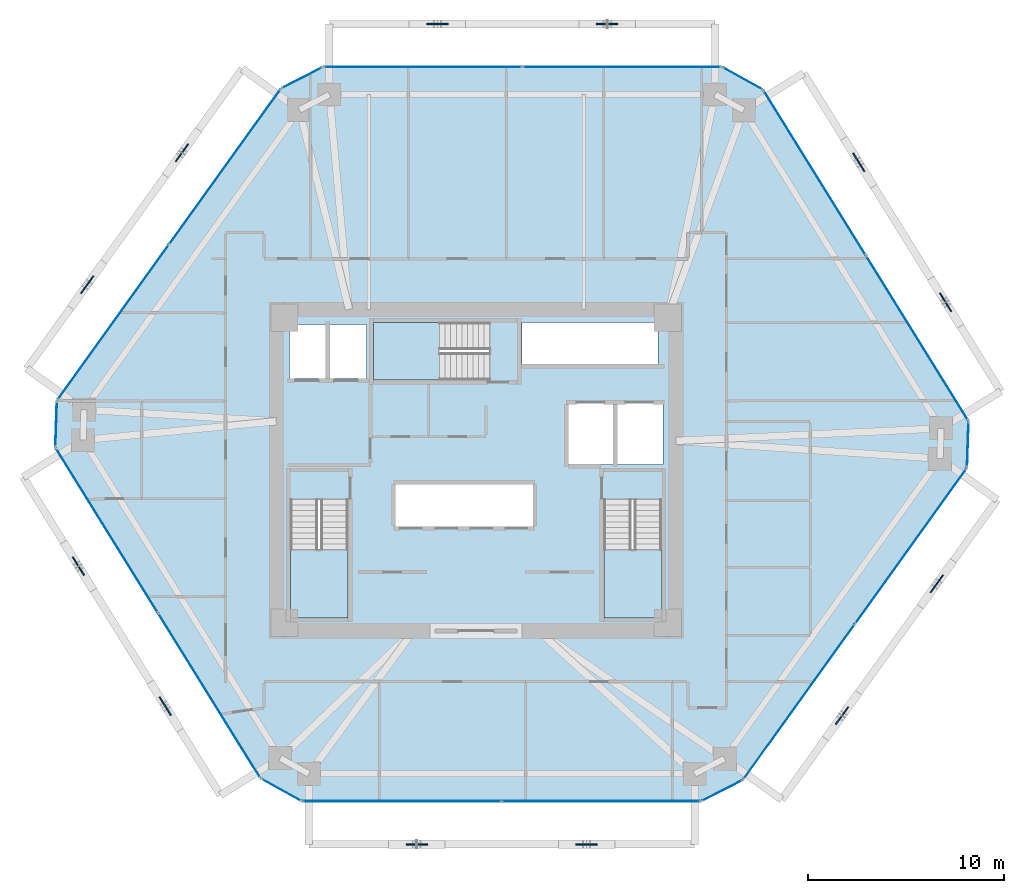
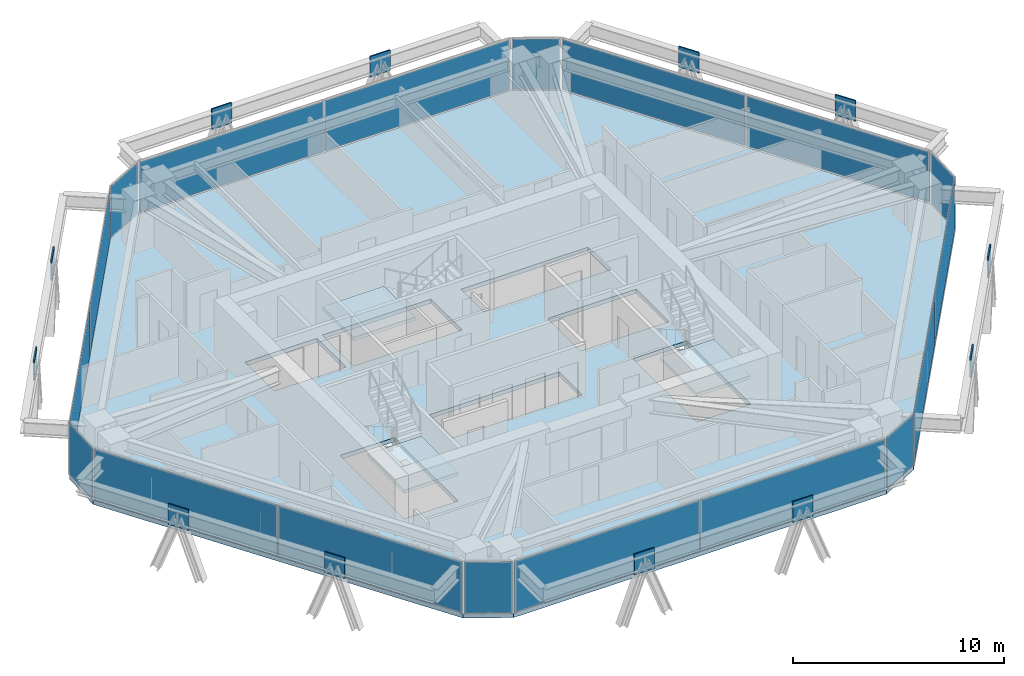
# One storey, part 9 of 16: 30 plates, 4 slabs, 15 elements without a shape of their own.
"""IFC4 building model written with IfcOpenShell, lengths in metres."""

from ifc_helpers import new_model, si_unit, direction, frame, origin, origin_2d, place, context, subcontext, project, spatial, polyline, rectangle, outline, extrude, source, transform, mapped, material, layer, layer_set, type_object, type_shapes, element, aggregate, save


model = new_model("IFC4")

# Units and contexts
model_context = context("Model", 3, precision=1e-05, world=origin(), true_north=direction((0.0, 1.0)))
body_context = subcontext(model_context, "Body", "Model", "MODEL_VIEW")
ifc_project = project(units=[si_unit("LENGTHUNIT", "METRE"), si_unit("AREAUNIT", "SQUARE_METRE"), si_unit("VOLUMEUNIT", "CUBIC_METRE"), si_unit("PLANEANGLEUNIT", "RADIAN"), si_unit("MASSUNIT", "GRAM", prefix="KILO")], contexts=[model_context])

# Site, building, storey
site_placement = place(None, origin())
site = spatial("IfcSite", under=ifc_project, at=site_placement, CompositionType="ELEMENT")
building_placement = place(site_placement, origin())
building = spatial("IfcBuilding", under=site, at=building_placement, Name="Durnholm Broadcast Tower", CompositionType="ELEMENT")
storey_placement = place(building_placement, frame((0.0, 0.0, 130.5)))
storey = spatial("IfcBuildingStorey", under=building, at=storey_placement, Name="L35", CompositionType="ELEMENT", Elevation=130.5)

# Slab
ifc_material_1 = material(Name="Concrete C50/60", Category="concrete")
ifc_layer_1 = layer(ifc_material_1, 0.239990234375)
ifc_layer_set_1 = layer_set([ifc_layer_1], Name="Concrete C50/60")
slab_type_1 = type_object("IfcSlabType", Name="SLAB-FLR-240", PredefinedType="FLOOR", material=ifc_layer_set_1)
slab_1_placement = place(storey_placement, frame((0.0, 0.0, -0.239990234375)))
element("IfcSlab", 1, at=slab_1_placement, inside=storey, type_object=slab_type_1, Name="L35 structural floor slab", PredefinedType="FLOOR", context=body_context, shape_type="SweptSolid", body=[
    extrude(outline(polyline([(-11.012451171875, -15.77001953125), (-8.915283203125, -16.93701171875), (11.51416015625, -16.93701171875), (13.649658203125, -15.841796875), (25.11279296875, 0.114990234375), (25.1943359375, 2.513671875), (14.6904296875, 19.447998046875), (12.59326171875, 20.614990234375), (-7.836181640625, 20.614990234375), (-9.9716796875, 19.519775390625), (-21.434814453125, 3.56298828125), (-21.516357421875, 1.164306640625), (-11.012451171875, -15.77001953125)]), holes=[polyline([(-6.5400390625, -1.5), (-9.5, -1.5), (-9.5, -7.550048828125), (-6.5400390625, -7.550048828125), (-6.5400390625, -1.5)]), polyline([(9.5, -7.550048828125), (9.5, -1.5), (6.5400390625, -1.5), (6.5400390625, -7.550048828125), (9.5, -7.550048828125)]), polyline([(2.949951171875, -0.699951171875), (-4.14990234375, -0.699951171875), (-4.14990234375, -2.89990234375), (2.949951171875, -2.89990234375), (2.949951171875, -0.699951171875)]), polyline([(9.550048828125, 3.39990234375), (4.699951171875, 3.39990234375), (4.699951171875, 0.300048828125), (9.550048828125, 0.300048828125), (9.550048828125, 3.39990234375)]), polyline([(-5.60009765625, 7.449951171875), (-9.550048828125, 7.449951171875), (-9.550048828125, 4.699951171875), (-5.60009765625, 4.699951171875), (-5.60009765625, 7.449951171875)]), polyline([(-5.25, 4.60009765625), (0.699951171875, 4.60009765625), (0.699951171875, 7.56005859375), (-5.25, 7.56005859375), (-5.25, 4.60009765625)]), polyline([(9.31005859375, 7.550048828125), (2.35009765625, 7.550048828125), (2.35009765625, 5.39990234375), (9.31005859375, 5.39990234375), (9.31005859375, 7.550048828125)])]), origin(), (0.0, 0.0, 1.0), 0.239990234375),
])

# Stair, slab
stair_type = type_object("IfcStairType", Name="STAIR-DL-20R1650", PredefinedType="HALF_TURN_STAIR", material=ifc_material_1)
stair_1_placement = place(storey_placement, origin())
stair_1 = element("IfcStair", 2, at=stair_1_placement, inside=storey, type_object=stair_type, Name="L35 ST-1", PredefinedType="HALF_TURN_STAIR")
ifc_layer_2 = layer(ifc_material_1, 0.199951171875)
ifc_layer_set_2 = layer_set([ifc_layer_2], Name="Concrete C50/60")
slab_type_2 = type_object("IfcSlabType", Name="SLAB-LND-200", PredefinedType="LANDING", material=ifc_layer_set_2)
slab_2_placement = place(storey_placement, frame((0.0, 0.0, 1.449951171875)))
slab_2 = element("IfcSlab", 3, at=slab_2_placement, type_object=slab_type_2, Name="ST-1 landing 1", PredefinedType="LANDING", context=body_context, shape_type="SweptSolid", body=[
    extrude(outline(polyline([(-9.5, -4.06494140625), (-9.5, -7.550048828125), (-6.5400390625, -7.550048828125), (-6.5400390625, -4.06494140625), (-9.5, -4.06494140625)])), origin(), (0.0, 0.0, 1.0), 0.199951171875),
])
aggregate(stair_1, [slab_2])

stair_2_placement = place(storey_placement, origin())
stair_2 = element("IfcStair", 4, at=stair_2_placement, inside=storey, type_object=stair_type, Name="L35 ST-2", PredefinedType="HALF_TURN_STAIR")
slab_3_placement = place(storey_placement, frame((0.0, 0.0, 1.449951171875)))
slab_3 = element("IfcSlab", 5, at=slab_3_placement, type_object=slab_type_2, Name="ST-2 landing 1", PredefinedType="LANDING", context=body_context, shape_type="SweptSolid", body=[
    extrude(outline(polyline([(6.5400390625, -4.06494140625), (6.5400390625, -7.550048828125), (9.5, -7.550048828125), (9.5, -4.06494140625), (6.5400390625, -4.06494140625)])), origin(), (0.0, 0.0, 1.0), 0.199951171875),
])
aggregate(stair_2, [slab_3])

stair_3_placement = place(storey_placement, origin())
stair_3 = element("IfcStair", 6, at=stair_3_placement, inside=storey, type_object=stair_type, Name="L35 ST-3", PredefinedType="HALF_TURN_STAIR")
slab_4_placement = place(storey_placement, frame((0.0, 0.0, 1.449951171875)))
slab_4 = element("IfcSlab", 7, at=slab_4_placement, type_object=slab_type_2, Name="ST-3 landing 1", PredefinedType="LANDING", context=body_context, shape_type="SweptSolid", body=[
    extrude(outline(polyline([(-1.864990234375, 7.56005859375), (-5.25, 7.56005859375), (-5.25, 4.60009765625), (-1.864990234375, 4.60009765625), (-1.864990234375, 7.56005859375)])), origin(), (0.0, 0.0, 1.0), 0.199951171875),
])
aggregate(stair_3, [slab_4])

# Plates
ifc_material_2 = material(Name="Steel ASTM A572 Grade 50", Category="steel")
ifc_layer_3 = layer(ifc_material_2, 0.070068359375)
ifc_layer_set_3 = layer_set([ifc_layer_3], Name="Steel ASTM A572 Grade 50")
plate_type_1 = type_object("IfcPlateType", Name="PLT-KN05-GUS", PredefinedType="USERDEFINED", material=ifc_layer_set_3)
shared_shape_1 = source(origin(), body_context, "Body", "SweptSolid", [
    extrude(rectangle(XDim=1.10009765625, YDim=0.070068359375, at=origin_2d()), origin(), (0.0, 0.0, 1.0), 1.199951171875),
])
type_shapes(plate_type_1, [shared_shape_1])
for number, where, z_axis, x_axis, name in (
    (8, (-3.028076171875, -19.136962890625, 1.70849609375), (0.0, 0.0, 1.0), (1.0, 0.0, 0.0), "L35 welded diagrid node gusset plate KN05 F1"),
    (9, (5.65234375, -19.136962890625, 1.70849609375), (0.0, 0.0, 1.0), (1.0, 0.0, 0.0), "L35 welded diagrid node gusset plate KN05 F1"),
    (10, (18.71875, -12.556396484375, 1.70849609375), (0.0, 0.0, 1.0), (0.583399467156, 0.812185361677, 0.0), "L35 welded diagrid node gusset plate KN05 F2"),
    (11, (23.56689453125, -5.807861328125, 1.70849609375), (0.0, 0.0, 1.0), (0.583399467156, 0.812185361677, 0.0), "L35 welded diagrid node gusset plate KN05 F2"),
    (12, (24.01513671875, 8.58837890625, 1.70849609375), (0.0, 0.0, 1.0), (-0.527104121728, 0.849800708906, 0.0), "L35 welded diagrid node gusset plate KN05 F3"),
    (13, (19.576416015625, 15.74462890625, 1.70849609375), (0.0, 0.0, 1.0), (-0.527104121728, 0.849800708906, 0.0), "L35 welded diagrid node gusset plate KN05 F3"),
    (14, (6.7060546875, 22.81494140625, 1.70849609375), (0.0, 0.0, 1.0), (-1.0, 0.0, 0.0), "L35 welded diagrid node gusset plate KN05 F4"),
    (15, (-1.974365234375, 22.81494140625, 1.70849609375), (0.0, 0.0, 1.0), (-1.0, 0.0, 0.0), "L35 welded diagrid node gusset plate KN05 F4"),
    (16, (-15.040771484375, 16.234375, 1.70849609375), (0.0, 0.0, 1.0), (-0.583399467156, -0.812185361677, 0.0), "L35 welded diagrid node gusset plate KN05 F5"),
    (17, (-19.888916015625, 9.48583984375, 1.70849609375), (0.0, 0.0, 1.0), (-0.583399467156, -0.812185361677, 0.0), "L35 welded diagrid node gusset plate KN05 F5"),
    (18, (-20.337158203125, -4.910400390625, 1.70849609375), (0.0, 0.0, 1.0), (0.527104121728, -0.849800708906, 0.0), "L35 welded diagrid node gusset plate KN05 F6"),
    (19, (-15.898193359375, -12.066650390625, 1.70849609375), (0.0, 0.0, 1.0), (0.527104121728, -0.849800708906, 0.0), "L35 welded diagrid node gusset plate KN05 F6"),
):
    element("IfcPlate", number, at=place(storey_placement, frame(where, z_axis=z_axis, x_axis=x_axis)), inside=storey, type_object=plate_type_1, Name=name, ObjectType="GUSSET_PLATE", PredefinedType="USERDEFINED", context=body_context, shape_type="MappedRepresentation", body=[
        mapped(shared_shape_1, transform((0.0, 0.0, 0.0), x_axis=(1.0, 0.0, 0.0), y_axis=(0.0, 1.0, 0.0), z_axis=(0.0, 0.0, 1.0), scale=1.0)),
    ])

# Curtain wall, plate
ifc_material_3 = material(Name="Aluminium and Solar Control IGU", Category="aluminium")
ifc_layer_4 = layer(ifc_material_3, 0.1650390625)
ifc_layer_set_4 = layer_set([ifc_layer_4], Name="Aluminium and Solar Control IGU")
curtain_wall_type_1 = type_object("IfcCurtainWallType", Name="CW-SYS-5", PredefinedType="NOTDEFINED", material=ifc_layer_set_4)
curtain_wall_1_placement = place(storey_placement, origin())
curtain_wall_1 = element("IfcCurtainWall", 20, at=curtain_wall_1_placement, inside=storey, type_object=curtain_wall_type_1, Name="L35 curtain wall CW-CORNER CW-L35-CRN-01", PredefinedType="NOTDEFINED")
ifc_material_4 = material(Name="Low-E Laminated Insulating Glass", Category="glass")
ifc_layer_5 = layer(ifc_material_4, 0.030029296875)
ifc_layer_set_5 = layer_set([ifc_layer_5], Name="Low-E Laminated Insulating Glass")
plate_type_2 = type_object("IfcPlateType", Name="CW-SYS-5-PNL", PredefinedType="CURTAIN_PANEL", material=ifc_layer_set_5)
shared_shape_2 = source(origin(), body_context, "Body", "SweptSolid", [
    extrude(rectangle(XDim=2.27001953125, YDim=0.030029296875, at=origin_2d()), origin(), (0.0, 0.0, 1.0), 2.929931640625),
])
type_shapes(plate_type_2, [shared_shape_2])
plate_1_placement = place(storey_placement, frame((-21.4755859375, 2.36376953125, 0.06494140625), z_axis=(0.0, 0.0, 1.0), x_axis=(0.033916937775, 0.999424655155, 0.0)))
plate_1 = element("IfcPlate", 21, at=plate_1_placement, type_object=plate_type_2, Name="CW-CORNER panel 1.1", PredefinedType="CURTAIN_PANEL", context=body_context, shape_type="MappedRepresentation", body=[
    mapped(shared_shape_2, transform((0.0, 0.0, 0.0), x_axis=(1.0, 0.0, 0.0), y_axis=(0.0, 1.0, 0.0), z_axis=(0.0, 0.0, 1.0), scale=1.0)),
])
aggregate(curtain_wall_1, [plate_1])

curtain_wall_2_placement = place(storey_placement, origin())
curtain_wall_2 = element("IfcCurtainWall", 22, at=curtain_wall_2_placement, inside=storey, type_object=curtain_wall_type_1, Name="L35 curtain wall CW-CORNER CW-L35-CRN-03", PredefinedType="NOTDEFINED")
plate_2_placement = place(storey_placement, frame((-8.904052734375, 20.0673828125, 0.06494140625), z_axis=(0.0, 0.0, 1.0), x_axis=(0.889788396392, 0.45637332267, 0.0)))
plate_2 = element("IfcPlate", 23, at=plate_2_placement, type_object=plate_type_2, Name="CW-CORNER panel 1.1", PredefinedType="CURTAIN_PANEL", context=body_context, shape_type="MappedRepresentation", body=[
    mapped(shared_shape_2, transform((0.0, 0.0, 0.0), x_axis=(1.0, 0.0, 0.0), y_axis=(0.0, 1.0, 0.0), z_axis=(0.0, 0.0, 1.0), scale=1.0)),
])
aggregate(curtain_wall_2, [plate_2])

curtain_wall_3_placement = place(storey_placement, origin())
curtain_wall_3 = element("IfcCurtainWall", 24, at=curtain_wall_3_placement, inside=storey, type_object=curtain_wall_type_1, Name="L35 curtain wall CW-CORNER CW-L35-CRN-05", PredefinedType="NOTDEFINED")
plate_3_placement = place(storey_placement, frame((13.641845703125, 20.031494140625, 0.06494140625), z_axis=(0.0, 0.0, 1.0), x_axis=(0.873822953715, -0.486244224192, 0.0)))
plate_3 = element("IfcPlate", 25, at=plate_3_placement, type_object=plate_type_2, Name="CW-CORNER panel 1.1", PredefinedType="CURTAIN_PANEL", context=body_context, shape_type="MappedRepresentation", body=[
    mapped(shared_shape_2, transform((0.0, 0.0, 0.0), x_axis=(1.0, 0.0, 0.0), y_axis=(0.0, 1.0, 0.0), z_axis=(0.0, 0.0, 1.0), scale=1.0)),
])
aggregate(curtain_wall_3, [plate_3])

curtain_wall_4_placement = place(storey_placement, origin())
curtain_wall_4 = element("IfcCurtainWall", 26, at=curtain_wall_4_placement, inside=storey, type_object=curtain_wall_type_1, Name="L35 curtain wall CW-CORNER CW-L35-CRN-07", PredefinedType="NOTDEFINED")
plate_4_placement = place(storey_placement, frame((25.153564453125, 1.314208984375, 0.06494140625), z_axis=(0.0, 0.0, 1.0), x_axis=(-0.033916937775, -0.999424655155, 0.0)))
plate_4 = element("IfcPlate", 27, at=plate_4_placement, type_object=plate_type_2, Name="CW-CORNER panel 1.1", PredefinedType="CURTAIN_PANEL", context=body_context, shape_type="MappedRepresentation", body=[
    mapped(shared_shape_2, transform((0.0, 0.0, 0.0), x_axis=(1.0, 0.0, 0.0), y_axis=(0.0, 1.0, 0.0), z_axis=(0.0, 0.0, 1.0), scale=1.0)),
])
aggregate(curtain_wall_4, [plate_4])

curtain_wall_5_placement = place(storey_placement, origin())
curtain_wall_5 = element("IfcCurtainWall", 28, at=curtain_wall_5_placement, inside=storey, type_object=curtain_wall_type_1, Name="L35 curtain wall CW-CORNER CW-L35-CRN-09", PredefinedType="NOTDEFINED")
plate_5_placement = place(storey_placement, frame((12.58203125, -16.389404296875, 0.06494140625), z_axis=(0.0, 0.0, 1.0), x_axis=(-0.889788396392, -0.45637332267, 0.0)))
plate_5 = element("IfcPlate", 29, at=plate_5_placement, type_object=plate_type_2, Name="CW-CORNER panel 1.1", PredefinedType="CURTAIN_PANEL", context=body_context, shape_type="MappedRepresentation", body=[
    mapped(shared_shape_2, transform((0.0, 0.0, 0.0), x_axis=(1.0, 0.0, 0.0), y_axis=(0.0, 1.0, 0.0), z_axis=(0.0, 0.0, 1.0), scale=1.0)),
])
aggregate(curtain_wall_5, [plate_5])

curtain_wall_6_placement = place(storey_placement, origin())
curtain_wall_6 = element("IfcCurtainWall", 30, at=curtain_wall_6_placement, inside=storey, type_object=curtain_wall_type_1, Name="L35 curtain wall CW-CORNER CW-L35-CRN-11", PredefinedType="NOTDEFINED")
plate_6_placement = place(storey_placement, frame((-9.9638671875, -16.353515625, 0.06494140625), z_axis=(0.0, 0.0, 1.0), x_axis=(-0.873822953715, 0.486244224192, 0.0)))
plate_6 = element("IfcPlate", 31, at=plate_6_placement, type_object=plate_type_2, Name="CW-CORNER panel 1.1", PredefinedType="CURTAIN_PANEL", context=body_context, shape_type="MappedRepresentation", body=[
    mapped(shared_shape_2, transform((0.0, 0.0, 0.0), x_axis=(1.0, 0.0, 0.0), y_axis=(0.0, 1.0, 0.0), z_axis=(0.0, 0.0, 1.0), scale=1.0)),
])
aggregate(curtain_wall_6, [plate_6])

# Curtain wall, plates
ifc_layer_6 = layer(ifc_material_3, 0.18994140625)
ifc_layer_set_6 = layer_set([ifc_layer_6], Name="Aluminium and Solar Control IGU")
curtain_wall_type_2 = type_object("IfcCurtainWallType", Name="CW-SYS-3", PredefinedType="NOTDEFINED", material=ifc_layer_set_6)
curtain_wall_7_placement = place(storey_placement, origin())
curtain_wall_7 = element("IfcCurtainWall", 32, at=curtain_wall_7_placement, inside=storey, type_object=curtain_wall_type_2, Name="L35 curtain wall CW-Z12-VIS CW-L35-F02", PredefinedType="NOTDEFINED")
ifc_layer_7 = layer(ifc_material_4, 0.031982421875)
ifc_layer_set_7 = layer_set([ifc_layer_7], Name="Low-E Laminated Insulating Glass")
plate_type_3 = type_object("IfcPlateType", Name="CW-SYS-3-PNL", PredefinedType="CURTAIN_PANEL", material=ifc_layer_set_7)
shared_shape_3 = source(origin(), body_context, "Body", "SweptSolid", [
    extrude(rectangle(XDim=9.71875, YDim=0.031982421875, at=origin_2d()), origin(), (0.0, 0.0, 1.0), 2.919921875),
])
plate_7_placement = place(storey_placement, frame((-18.558837890625, 7.56640625, 0.070068359375), z_axis=(0.0, 0.0, 1.0), x_axis=(0.583445473786, 0.812152312759, 0.0)))
plate_7 = element("IfcPlate", 33, at=plate_7_placement, type_object=plate_type_3, Name="CW-Z12-VIS panel 1.1", PredefinedType="CURTAIN_PANEL", context=body_context, shape_type="MappedRepresentation", body=[
    mapped(shared_shape_3, transform((0.0, 0.0, 0.0), x_axis=(1.0, 0.0, 0.0), y_axis=(0.0, 1.0, 0.0), z_axis=(0.0, 0.0, 1.0), scale=1.0)),
])
plate_8_placement = place(storey_placement, frame((-12.84765625, 15.516357421875, 0.070068359375), z_axis=(0.0, 0.0, 1.0), x_axis=(0.583445473786, 0.812152312759, 0.0)))
plate_8 = element("IfcPlate", 34, at=plate_8_placement, type_object=plate_type_3, Name="CW-Z12-VIS panel 2.1", PredefinedType="CURTAIN_PANEL", context=body_context, shape_type="MappedRepresentation", body=[
    mapped(shared_shape_3, transform((0.0, 0.0, 0.0), x_axis=(1.0, 0.0, 0.0), y_axis=(0.0, 1.0, 0.0), z_axis=(0.0, 0.0, 1.0), scale=1.0)),
])
aggregate(curtain_wall_7, [plate_7, plate_8])

curtain_wall_8_placement = place(storey_placement, origin())
curtain_wall_8 = element("IfcCurtainWall", 35, at=curtain_wall_8_placement, inside=storey, type_object=curtain_wall_type_2, Name="L35 curtain wall CW-Z12-VIS CW-L35-F08", PredefinedType="NOTDEFINED")
plate_9_placement = place(storey_placement, frame((22.23681640625, -3.888427734375, 0.070068359375), z_axis=(0.0, 0.0, 1.0), x_axis=(-0.583445473786, -0.812152312759, 0.0)))
plate_9 = element("IfcPlate", 36, at=plate_9_placement, type_object=plate_type_3, Name="CW-Z12-VIS panel 1.1", PredefinedType="CURTAIN_PANEL", context=body_context, shape_type="MappedRepresentation", body=[
    mapped(shared_shape_3, transform((0.0, 0.0, 0.0), x_axis=(1.0, 0.0, 0.0), y_axis=(0.0, 1.0, 0.0), z_axis=(0.0, 0.0, 1.0), scale=1.0)),
])
plate_10_placement = place(storey_placement, frame((16.525634765625, -11.83837890625, 0.070068359375), z_axis=(0.0, 0.0, 1.0), x_axis=(-0.583445473786, -0.812152312759, 0.0)))
plate_10 = element("IfcPlate", 37, at=plate_10_placement, type_object=plate_type_3, Name="CW-Z12-VIS panel 2.1", PredefinedType="CURTAIN_PANEL", context=body_context, shape_type="MappedRepresentation", body=[
    mapped(shared_shape_3, transform((0.0, 0.0, 0.0), x_axis=(1.0, 0.0, 0.0), y_axis=(0.0, 1.0, 0.0), z_axis=(0.0, 0.0, 1.0), scale=1.0)),
])
aggregate(curtain_wall_8, [plate_9, plate_10])

curtain_wall_9_placement = place(storey_placement, origin())
curtain_wall_9 = element("IfcCurtainWall", 38, at=curtain_wall_9_placement, inside=storey, type_object=curtain_wall_type_2, Name="L35 curtain wall CW-Z12-VIS CW-L35-F04", PredefinedType="NOTDEFINED")
shared_shape_4 = source(origin(), body_context, "Body", "SweptSolid", [
    extrude(rectangle(XDim=10.109619140625, YDim=0.031982421875, at=origin_2d()), origin(), (0.0, 0.0, 1.0), 2.919921875),
])
plate_11_placement = place(storey_placement, frame((-2.71142578125, 20.614990234375, 0.070068359375), z_axis=(0.0, 0.0, 1.0), x_axis=(1.0, 0.0, 0.0)))
plate_11 = element("IfcPlate", 39, at=plate_11_placement, type_object=plate_type_3, Name="CW-Z12-VIS panel 1.1", PredefinedType="CURTAIN_PANEL", context=body_context, shape_type="MappedRepresentation", body=[
    mapped(shared_shape_4, transform((0.0, 0.0, 0.0), x_axis=(1.0, 0.0, 0.0), y_axis=(0.0, 1.0, 0.0), z_axis=(0.0, 0.0, 1.0), scale=1.0)),
])
plate_12_placement = place(storey_placement, frame((7.46826171875, 20.614990234375, 0.070068359375), z_axis=(0.0, 0.0, 1.0), x_axis=(1.0, 0.0, 0.0)))
plate_12 = element("IfcPlate", 40, at=plate_12_placement, type_object=plate_type_3, Name="CW-Z12-VIS panel 2.1", PredefinedType="CURTAIN_PANEL", context=body_context, shape_type="MappedRepresentation", body=[
    mapped(shared_shape_4, transform((0.0, 0.0, 0.0), x_axis=(1.0, 0.0, 0.0), y_axis=(0.0, 1.0, 0.0), z_axis=(0.0, 0.0, 1.0), scale=1.0)),
])
aggregate(curtain_wall_9, [plate_11, plate_12])

curtain_wall_10_placement = place(storey_placement, origin())
curtain_wall_10 = element("IfcCurtainWall", 41, at=curtain_wall_10_placement, inside=storey, type_object=curtain_wall_type_2, Name="L35 curtain wall CW-Z12-VIS CW-L35-F10", PredefinedType="NOTDEFINED")
plate_13_placement = place(storey_placement, frame((6.389404296875, -16.93701171875, 0.070068359375), z_axis=(0.0, 0.0, 1.0), x_axis=(-1.0, 0.0, 0.0)))
plate_13 = element("IfcPlate", 42, at=plate_13_placement, type_object=plate_type_3, Name="CW-Z12-VIS panel 1.1", PredefinedType="CURTAIN_PANEL", context=body_context, shape_type="MappedRepresentation", body=[
    mapped(shared_shape_4, transform((0.0, 0.0, 0.0), x_axis=(1.0, 0.0, 0.0), y_axis=(0.0, 1.0, 0.0), z_axis=(0.0, 0.0, 1.0), scale=1.0)),
])
plate_14_placement = place(storey_placement, frame((-3.790283203125, -16.93701171875, 0.070068359375), z_axis=(0.0, 0.0, 1.0), x_axis=(-1.0, 0.0, 0.0)))
plate_14 = element("IfcPlate", 43, at=plate_14_placement, type_object=plate_type_3, Name="CW-Z12-VIS panel 2.1", PredefinedType="CURTAIN_PANEL", context=body_context, shape_type="MappedRepresentation", body=[
    mapped(shared_shape_4, transform((0.0, 0.0, 0.0), x_axis=(1.0, 0.0, 0.0), y_axis=(0.0, 1.0, 0.0), z_axis=(0.0, 0.0, 1.0), scale=1.0)),
])
aggregate(curtain_wall_10, [plate_13, plate_14])

curtain_wall_11_placement = place(storey_placement, origin())
curtain_wall_11 = element("IfcCurtainWall", 44, at=curtain_wall_11_placement, inside=storey, type_object=curtain_wall_type_2, Name="L35 curtain wall CW-Z12-VIS CW-L35-F06", PredefinedType="NOTDEFINED")
shared_shape_5 = source(origin(), body_context, "Body", "SweptSolid", [
    extrude(rectangle(XDim=9.858642578125, YDim=0.031982421875, at=origin_2d()), origin(), (0.0, 0.0, 1.0), 2.919921875),
])
type_shapes(plate_type_3, [shared_shape_3, shared_shape_4, shared_shape_5])
plate_15_placement = place(storey_placement, frame((17.32568359375, 15.199462890625, 0.070068359375), z_axis=(0.0, 0.0, 1.0), x_axis=(0.527105385176, -0.849799925229, 0.0)))
plate_15 = element("IfcPlate", 45, at=plate_15_placement, type_object=plate_type_3, Name="CW-Z12-VIS panel 1.1", PredefinedType="CURTAIN_PANEL", context=body_context, shape_type="MappedRepresentation", body=[
    mapped(shared_shape_5, transform((0.0, 0.0, 0.0), x_axis=(1.0, 0.0, 0.0), y_axis=(0.0, 1.0, 0.0), z_axis=(0.0, 0.0, 1.0), scale=1.0)),
])
plate_16_placement = place(storey_placement, frame((22.55908203125, 6.761962890625, 0.070068359375), z_axis=(0.0, 0.0, 1.0), x_axis=(0.527105385176, -0.849799925229, 0.0)))
plate_16 = element("IfcPlate", 46, at=plate_16_placement, type_object=plate_type_3, Name="CW-Z12-VIS panel 2.1", PredefinedType="CURTAIN_PANEL", context=body_context, shape_type="MappedRepresentation", body=[
    mapped(shared_shape_5, transform((0.0, 0.0, 0.0), x_axis=(1.0, 0.0, 0.0), y_axis=(0.0, 1.0, 0.0), z_axis=(0.0, 0.0, 1.0), scale=1.0)),
])
aggregate(curtain_wall_11, [plate_15, plate_16])

curtain_wall_12_placement = place(storey_placement, origin())
curtain_wall_12 = element("IfcCurtainWall", 47, at=curtain_wall_12_placement, inside=storey, type_object=curtain_wall_type_2, Name="L35 curtain wall CW-Z12-VIS CW-L35-F12", PredefinedType="NOTDEFINED")
plate_17_placement = place(storey_placement, frame((-13.647705078125, -11.521484375, 0.070068359375), z_axis=(0.0, 0.0, 1.0), x_axis=(-0.527105385176, 0.849799925229, 0.0)))
plate_17 = element("IfcPlate", 48, at=plate_17_placement, type_object=plate_type_3, Name="CW-Z12-VIS panel 1.1", PredefinedType="CURTAIN_PANEL", context=body_context, shape_type="MappedRepresentation", body=[
    mapped(shared_shape_5, transform((0.0, 0.0, 0.0), x_axis=(1.0, 0.0, 0.0), y_axis=(0.0, 1.0, 0.0), z_axis=(0.0, 0.0, 1.0), scale=1.0)),
])
plate_18_placement = place(storey_placement, frame((-18.881103515625, -3.083984375, 0.070068359375), z_axis=(0.0, 0.0, 1.0), x_axis=(-0.527105385176, 0.849799925229, 0.0)))
plate_18 = element("IfcPlate", 49, at=plate_18_placement, type_object=plate_type_3, Name="CW-Z12-VIS panel 2.1", PredefinedType="CURTAIN_PANEL", context=body_context, shape_type="MappedRepresentation", body=[
    mapped(shared_shape_5, transform((0.0, 0.0, 0.0), x_axis=(1.0, 0.0, 0.0), y_axis=(0.0, 1.0, 0.0), z_axis=(0.0, 0.0, 1.0), scale=1.0)),
])
aggregate(curtain_wall_12, [plate_17, plate_18])

save(model, "model.ifc")
